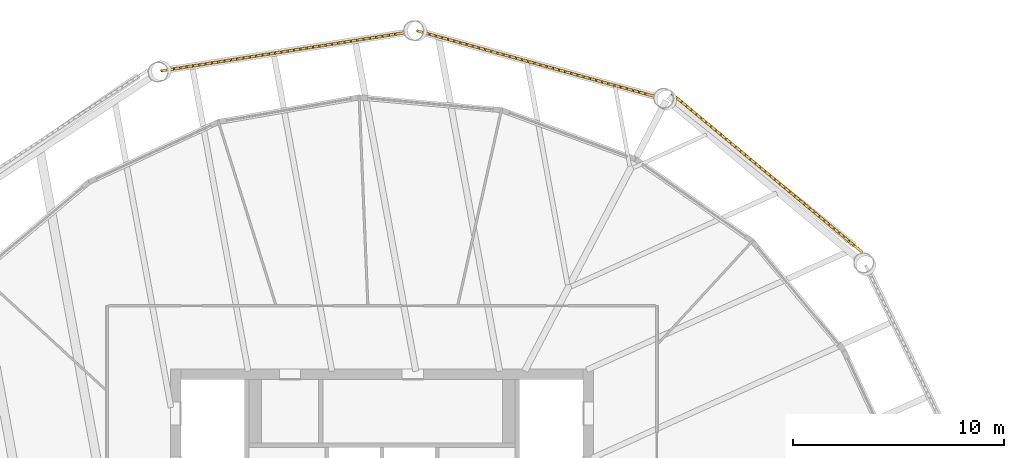
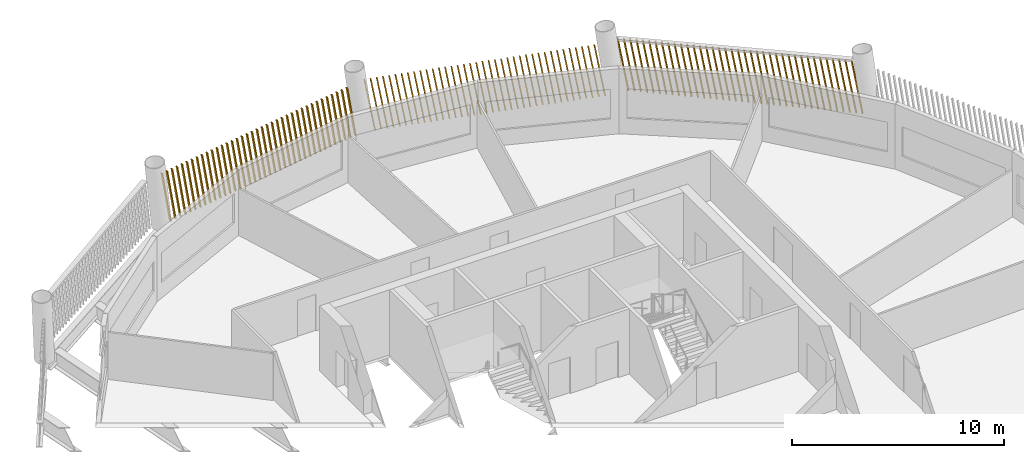
# One storey, part 14 of 15: 3 shading devices.
"""IFC4 building model written with IfcOpenShell, lengths in metres."""

from ifc_helpers import new_model, si_unit, direction, frame, frame_2d, origin, place, context, subcontext, project, spatial, rectangle, composite_profile, extrude, material, type_object, element, save


model = new_model("IFC4")

# Units and contexts
model_context = context("Model", 3, precision=1e-05, world=origin(), true_north=direction((0.0, 1.0)))
body_context = subcontext(model_context, "Body", "Model", "MODEL_VIEW")
ifc_project = project(units=[si_unit("LENGTHUNIT", "METRE"), si_unit("AREAUNIT", "SQUARE_METRE"), si_unit("VOLUMEUNIT", "CUBIC_METRE"), si_unit("PLANEANGLEUNIT", "RADIAN"), si_unit("MASSUNIT", "GRAM", prefix="KILO")], contexts=[model_context])

# Site, building, storey
site_placement = place(None, origin())
site = spatial("IfcSite", under=ifc_project, at=site_placement, CompositionType="ELEMENT")
building_placement = place(site_placement, origin())
building = spatial("IfcBuilding", under=site, at=building_placement, Name="Tarsis Ring Headquarters", CompositionType="ELEMENT")
storey_placement = place(building_placement, frame((0.0, 0.0, 327.5)))
storey = spatial("IfcBuildingStorey", under=building, at=storey_placement, Name="L77", CompositionType="ELEMENT", Elevation=327.5)

# Shading devices
ifc_material = material(Name="Terracotta baguette", Category="masonry")
shading_device_type = type_object("IfcShadingDeviceType", Name="Terracotta baguette screen", PredefinedType="USERDEFINED", material=ifc_material)
shading_device_1_placement = place(storey_placement, frame((22.728271484375, 18.51513671875, 0.0), z_axis=(0.0, 0.0, 1.0), x_axis=(-0.768616386327, 0.639717851329, 0.0)))
element("IfcShadingDevice", 1, at=shading_device_1_placement, inside=storey, type_object=shading_device_type, Name="Baguette screen L77-10", ObjectType="Terracotta baguette screen", PredefinedType="USERDEFINED", context=body_context, shape_type="SweptSolid", body=[
    extrude(composite_profile([rectangle(XDim=0.06005859375, YDim=0.1201171875, at=frame_2d((0.030029296875, 0.0))), rectangle(XDim=0.06005859375, YDim=0.1201171875, at=frame_2d((0.33251953125, 0.0))), rectangle(XDim=0.06005859375, YDim=0.1201171875, at=frame_2d((0.634765625, 0.0))), rectangle(XDim=0.06005859375, YDim=0.1201171875, at=frame_2d((0.937255859375, 0.0))), rectangle(XDim=0.06005859375, YDim=0.1201171875, at=frame_2d((1.239501953125, 0.0))), rectangle(XDim=0.06005859375, YDim=0.1201171875, at=frame_2d((1.5419921875, 0.0))), rectangle(XDim=0.06005859375, YDim=0.1201171875, at=frame_2d((1.844482421875, 0.0))), rectangle(XDim=0.06005859375, YDim=0.1201171875, at=frame_2d((2.146728515625, 0.0))), rectangle(XDim=0.06005859375, YDim=0.1201171875, at=frame_2d((2.44921875, 0.0))), rectangle(XDim=0.06005859375, YDim=0.1201171875, at=frame_2d((2.751708984375, 0.0))), rectangle(XDim=0.06005859375, YDim=0.1201171875, at=frame_2d((3.053955078125, 0.0))), rectangle(XDim=0.06005859375, YDim=0.1201171875, at=frame_2d((3.3564453125, 0.0))), rectangle(XDim=0.06005859375, YDim=0.1201171875, at=frame_2d((3.65869140625, 0.0))), rectangle(XDim=0.06005859375, YDim=0.1201171875, at=frame_2d((3.961181640625, 0.0))), rectangle(XDim=0.06005859375, YDim=0.1201171875, at=frame_2d((4.263671875, 0.0))), rectangle(XDim=0.06005859375, YDim=0.1201171875, at=frame_2d((4.56591796875, 0.0))), rectangle(XDim=0.06005859375, YDim=0.1201171875, at=frame_2d((4.868408203125, 0.0))), rectangle(XDim=0.06005859375, YDim=0.1201171875, at=frame_2d((5.1708984375, 0.0))), rectangle(XDim=0.06005859375, YDim=0.1201171875, at=frame_2d((5.47314453125, 0.0))), rectangle(XDim=0.06005859375, YDim=0.1201171875, at=frame_2d((5.775634765625, 0.0))), rectangle(XDim=0.06005859375, YDim=0.1201171875, at=frame_2d((6.077880859375, 0.0))), rectangle(XDim=0.06005859375, YDim=0.1201171875, at=frame_2d((6.38037109375, 0.0))), rectangle(XDim=0.06005859375, YDim=0.1201171875, at=frame_2d((6.682861328125, 0.0))), rectangle(XDim=0.06005859375, YDim=0.1201171875, at=frame_2d((6.985107421875, 0.0))), rectangle(XDim=0.06005859375, YDim=0.1201171875, at=frame_2d((7.28759765625, 0.0))), rectangle(XDim=0.06005859375, YDim=0.1201171875, at=frame_2d((7.590087890625, 0.0))), rectangle(XDim=0.06005859375, YDim=0.1201171875, at=frame_2d((7.892333984375, 0.0))), rectangle(XDim=0.06005859375, YDim=0.1201171875, at=frame_2d((8.19482421875, 0.0))), rectangle(XDim=0.06005859375, YDim=0.1201171875, at=frame_2d((8.4970703125, 0.0))), rectangle(XDim=0.06005859375, YDim=0.1201171875, at=frame_2d((8.799560546875, 0.0))), rectangle(XDim=0.06005859375, YDim=0.1201171875, at=frame_2d((9.10205078125, 0.0))), rectangle(XDim=0.06005859375, YDim=0.1201171875, at=frame_2d((9.404296875, 0.0))), rectangle(XDim=0.06005859375, YDim=0.1201171875, at=frame_2d((9.706787109375, 0.0))), rectangle(XDim=0.06005859375, YDim=0.1201171875, at=frame_2d((10.00927734375, 0.0))), rectangle(XDim=0.06005859375, YDim=0.1201171875, at=frame_2d((10.3115234375, 0.0))), rectangle(XDim=0.06005859375, YDim=0.1201171875, at=frame_2d((10.614013671875, 0.0))), rectangle(XDim=0.06005859375, YDim=0.1201171875, at=frame_2d((10.916259765625, 0.0))), rectangle(XDim=0.06005859375, YDim=0.1201171875, at=frame_2d((11.21875, 0.0)))]), origin(), (0.173294456046, 0.00157049257, 0.984868806013), 3.013427734375),
])
shading_device_2_placement = place(storey_placement, frame((12.97607421875, 25.8759765625, 0.0), z_axis=(0.0, 0.0, 1.0), x_axis=(-0.963971785133, 0.266044492675, 0.0)))
element("IfcShadingDevice", 2, at=shading_device_2_placement, inside=storey, type_object=shading_device_type, Name="Baguette screen L77-11", ObjectType="Terracotta baguette screen", PredefinedType="USERDEFINED", context=body_context, shape_type="SweptSolid", body=[
    extrude(composite_profile([rectangle(XDim=0.06005859375, YDim=0.1201171875, at=frame_2d((0.030029296875, 0.0))), rectangle(XDim=0.06005859375, YDim=0.1201171875, at=frame_2d((0.33251953125, 0.0))), rectangle(XDim=0.06005859375, YDim=0.1201171875, at=frame_2d((0.634765625, 0.0))), rectangle(XDim=0.06005859375, YDim=0.1201171875, at=frame_2d((0.937255859375, 0.0))), rectangle(XDim=0.06005859375, YDim=0.1201171875, at=frame_2d((1.239501953125, 0.0))), rectangle(XDim=0.06005859375, YDim=0.1201171875, at=frame_2d((1.5419921875, 0.0))), rectangle(XDim=0.06005859375, YDim=0.1201171875, at=frame_2d((1.844482421875, 0.0))), rectangle(XDim=0.06005859375, YDim=0.1201171875, at=frame_2d((2.146728515625, 0.0))), rectangle(XDim=0.06005859375, YDim=0.1201171875, at=frame_2d((2.44921875, 0.0))), rectangle(XDim=0.06005859375, YDim=0.1201171875, at=frame_2d((2.751708984375, 0.0))), rectangle(XDim=0.06005859375, YDim=0.1201171875, at=frame_2d((3.053955078125, 0.0))), rectangle(XDim=0.06005859375, YDim=0.1201171875, at=frame_2d((3.3564453125, 0.0))), rectangle(XDim=0.06005859375, YDim=0.1201171875, at=frame_2d((3.65869140625, 0.0))), rectangle(XDim=0.06005859375, YDim=0.1201171875, at=frame_2d((3.961181640625, 0.0))), rectangle(XDim=0.06005859375, YDim=0.1201171875, at=frame_2d((4.263671875, 0.0))), rectangle(XDim=0.06005859375, YDim=0.1201171875, at=frame_2d((4.56591796875, 0.0))), rectangle(XDim=0.06005859375, YDim=0.1201171875, at=frame_2d((4.868408203125, 0.0))), rectangle(XDim=0.06005859375, YDim=0.1201171875, at=frame_2d((5.1708984375, 0.0))), rectangle(XDim=0.06005859375, YDim=0.1201171875, at=frame_2d((5.47314453125, 0.0))), rectangle(XDim=0.06005859375, YDim=0.1201171875, at=frame_2d((5.775634765625, 0.0))), rectangle(XDim=0.06005859375, YDim=0.1201171875, at=frame_2d((6.077880859375, 0.0))), rectangle(XDim=0.06005859375, YDim=0.1201171875, at=frame_2d((6.38037109375, 0.0))), rectangle(XDim=0.06005859375, YDim=0.1201171875, at=frame_2d((6.682861328125, 0.0))), rectangle(XDim=0.06005859375, YDim=0.1201171875, at=frame_2d((6.985107421875, 0.0))), rectangle(XDim=0.06005859375, YDim=0.1201171875, at=frame_2d((7.28759765625, 0.0))), rectangle(XDim=0.06005859375, YDim=0.1201171875, at=frame_2d((7.590087890625, 0.0))), rectangle(XDim=0.06005859375, YDim=0.1201171875, at=frame_2d((7.892333984375, 0.0))), rectangle(XDim=0.06005859375, YDim=0.1201171875, at=frame_2d((8.19482421875, 0.0))), rectangle(XDim=0.06005859375, YDim=0.1201171875, at=frame_2d((8.4970703125, 0.0))), rectangle(XDim=0.06005859375, YDim=0.1201171875, at=frame_2d((8.799560546875, 0.0))), rectangle(XDim=0.06005859375, YDim=0.1201171875, at=frame_2d((9.10205078125, 0.0))), rectangle(XDim=0.06005859375, YDim=0.1201171875, at=frame_2d((9.404296875, 0.0))), rectangle(XDim=0.06005859375, YDim=0.1201171875, at=frame_2d((9.706787109375, 0.0))), rectangle(XDim=0.06005859375, YDim=0.1201171875, at=frame_2d((10.00927734375, 0.0))), rectangle(XDim=0.06005859375, YDim=0.1201171875, at=frame_2d((10.3115234375, 0.0))), rectangle(XDim=0.06005859375, YDim=0.1201171875, at=frame_2d((10.614013671875, 0.0))), rectangle(XDim=0.06005859375, YDim=0.1201171875, at=frame_2d((10.916259765625, 0.0))), rectangle(XDim=0.06005859375, YDim=0.1201171875, at=frame_2d((11.21875, 0.0)))]), origin(), (0.171103248844, 0.001553088492, 0.985251879547), 3.01220703125),
])
shading_device_3_placement = place(storey_placement, frame((1.15673828125, 28.924072265625, 0.0), z_axis=(0.0, 0.0, 1.0), x_axis=(-0.987932718394, -0.154943027672, 0.0)))
element("IfcShadingDevice", 3, at=shading_device_3_placement, inside=storey, type_object=shading_device_type, Name="Baguette screen L77-12", ObjectType="Terracotta baguette screen", PredefinedType="USERDEFINED", context=body_context, shape_type="SweptSolid", body=[
    extrude(composite_profile([rectangle(XDim=0.06005859375, YDim=0.1201171875, at=frame_2d((0.030029296875, 0.0))), rectangle(XDim=0.06005859375, YDim=0.1201171875, at=frame_2d((0.33251953125, 0.0))), rectangle(XDim=0.06005859375, YDim=0.1201171875, at=frame_2d((0.634765625, 0.0))), rectangle(XDim=0.06005859375, YDim=0.1201171875, at=frame_2d((0.937255859375, 0.0))), rectangle(XDim=0.06005859375, YDim=0.1201171875, at=frame_2d((1.239501953125, 0.0))), rectangle(XDim=0.06005859375, YDim=0.1201171875, at=frame_2d((1.5419921875, 0.0))), rectangle(XDim=0.06005859375, YDim=0.1201171875, at=frame_2d((1.844482421875, 0.0))), rectangle(XDim=0.06005859375, YDim=0.1201171875, at=frame_2d((2.146728515625, 0.0))), rectangle(XDim=0.06005859375, YDim=0.1201171875, at=frame_2d((2.44921875, 0.0))), rectangle(XDim=0.06005859375, YDim=0.1201171875, at=frame_2d((2.751708984375, 0.0))), rectangle(XDim=0.06005859375, YDim=0.1201171875, at=frame_2d((3.053955078125, 0.0))), rectangle(XDim=0.06005859375, YDim=0.1201171875, at=frame_2d((3.3564453125, 0.0))), rectangle(XDim=0.06005859375, YDim=0.1201171875, at=frame_2d((3.65869140625, 0.0))), rectangle(XDim=0.06005859375, YDim=0.1201171875, at=frame_2d((3.961181640625, 0.0))), rectangle(XDim=0.06005859375, YDim=0.1201171875, at=frame_2d((4.263671875, 0.0))), rectangle(XDim=0.06005859375, YDim=0.1201171875, at=frame_2d((4.56591796875, 0.0))), rectangle(XDim=0.06005859375, YDim=0.1201171875, at=frame_2d((4.868408203125, 0.0))), rectangle(XDim=0.06005859375, YDim=0.1201171875, at=frame_2d((5.1708984375, 0.0))), rectangle(XDim=0.06005859375, YDim=0.1201171875, at=frame_2d((5.47314453125, 0.0))), rectangle(XDim=0.06005859375, YDim=0.1201171875, at=frame_2d((5.775634765625, 0.0))), rectangle(XDim=0.06005859375, YDim=0.1201171875, at=frame_2d((6.077880859375, 0.0))), rectangle(XDim=0.06005859375, YDim=0.1201171875, at=frame_2d((6.38037109375, 0.0))), rectangle(XDim=0.06005859375, YDim=0.1201171875, at=frame_2d((6.682861328125, 0.0))), rectangle(XDim=0.06005859375, YDim=0.1201171875, at=frame_2d((6.985107421875, 0.0))), rectangle(XDim=0.06005859375, YDim=0.1201171875, at=frame_2d((7.28759765625, 0.0))), rectangle(XDim=0.06005859375, YDim=0.1201171875, at=frame_2d((7.590087890625, 0.0))), rectangle(XDim=0.06005859375, YDim=0.1201171875, at=frame_2d((7.892333984375, 0.0))), rectangle(XDim=0.06005859375, YDim=0.1201171875, at=frame_2d((8.19482421875, 0.0))), rectangle(XDim=0.06005859375, YDim=0.1201171875, at=frame_2d((8.4970703125, 0.0))), rectangle(XDim=0.06005859375, YDim=0.1201171875, at=frame_2d((8.799560546875, 0.0))), rectangle(XDim=0.06005859375, YDim=0.1201171875, at=frame_2d((9.10205078125, 0.0))), rectangle(XDim=0.06005859375, YDim=0.1201171875, at=frame_2d((9.404296875, 0.0))), rectangle(XDim=0.06005859375, YDim=0.1201171875, at=frame_2d((9.706787109375, 0.0))), rectangle(XDim=0.06005859375, YDim=0.1201171875, at=frame_2d((10.00927734375, 0.0))), rectangle(XDim=0.06005859375, YDim=0.1201171875, at=frame_2d((10.3115234375, 0.0))), rectangle(XDim=0.06005859375, YDim=0.1201171875, at=frame_2d((10.614013671875, 0.0))), rectangle(XDim=0.06005859375, YDim=0.1201171875, at=frame_2d((10.916259765625, 0.0))), rectangle(XDim=0.06005859375, YDim=0.1201171875, at=frame_2d((11.21875, 0.0)))]), origin(), (0.171103011069, 0.001554019305, 0.985251919372), 3.01220703125),
])

save(model, "model.ifc")
